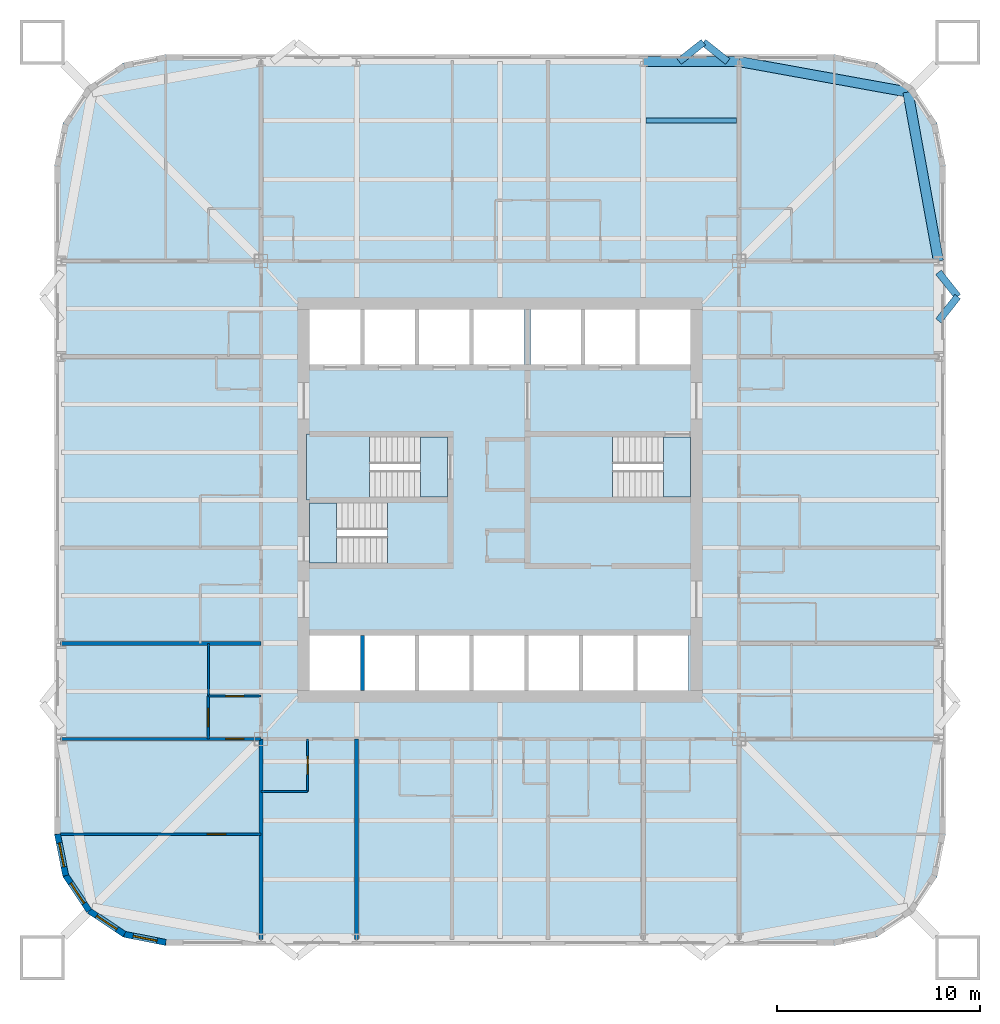
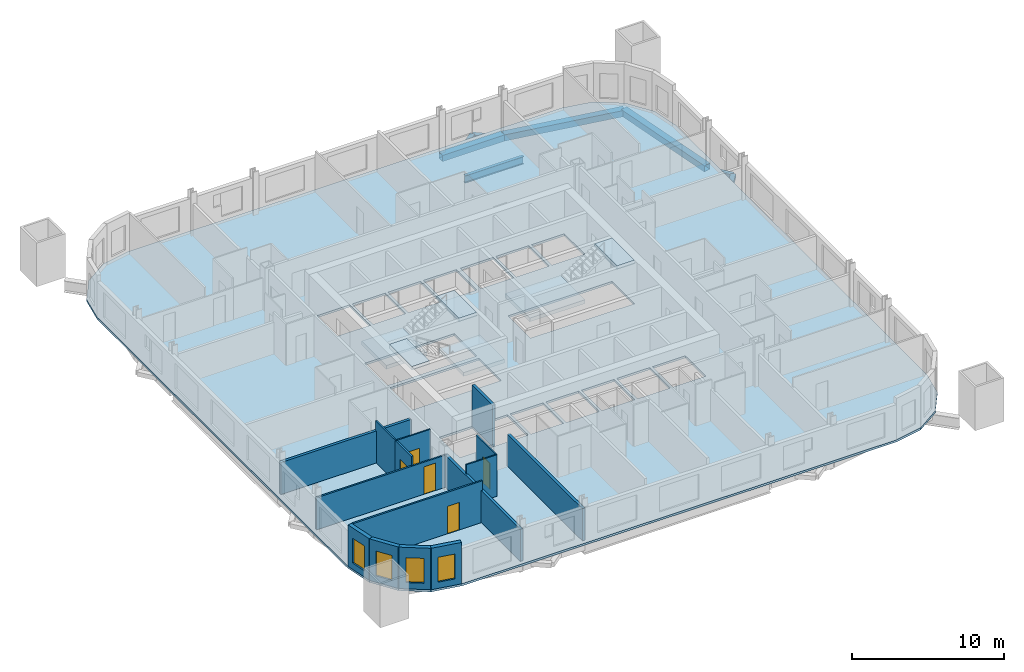
# One storey, part 2 of 10: 15 walls, 8 beams, 7 slabs, 5 doors, 4 windows, 9 openings, 3 elements without a shape of their own.
"""IFC4 building model written with IfcOpenShell, lengths in metres."""

from ifc_helpers import new_model, si_unit, direction, frame, frame_2d, origin, origin_2d, place, context, subcontext, project, spatial, polyline, rectangle, hollow_rectangle, i_section, outline, extrude, material, layer, layer_set, material_profile, profile_set, type_object, element, fill, aggregate, save


model = new_model("IFC4")

# Units and contexts
model_context = context("Model", 3, precision=1e-05, world=origin(), true_north=direction((0.0, 1.0)))
body_context = subcontext(model_context, "Body", "Model", "MODEL_VIEW")
ifc_project = project(units=[si_unit("LENGTHUNIT", "METRE"), si_unit("AREAUNIT", "SQUARE_METRE"), si_unit("VOLUMEUNIT", "CUBIC_METRE"), si_unit("PLANEANGLEUNIT", "RADIAN"), si_unit("MASSUNIT", "GRAM", prefix="KILO")], contexts=[model_context])

# Site, building, storey
site_placement = place(None, origin())
site = spatial("IfcSite", under=ifc_project, at=site_placement, CompositionType="ELEMENT")
building_placement = place(site_placement, origin())
building = spatial("IfcBuilding", under=site, at=building_placement, Name="Turquesa Mirador Hotel Tower", CompositionType="ELEMENT")
storey_placement = place(building_placement, frame((0.0, 0.0, 70.5)))
storey = spatial("IfcBuildingStorey", under=building, at=storey_placement, Name="L18", CompositionType="ELEMENT", Elevation=70.5)

# Beams
ifc_material_1 = material(Name="Steel ASTM A572 Grade 50", Category="steel")
ifc_material_profile_1 = material_profile(ifc_material_1, hollow_rectangle(XDim=0.5, YDim=0.5, WallThickness=0.01611328125, at=origin_2d()), Name="BOX500X500X16")
ifc_profile_set_1 = profile_set([ifc_material_profile_1], Name="Steel ASTM A572 Grade 50")
beam_type_1 = type_object("IfcBeamType", Name="BEAM BOX500X500X16", PredefinedType="BEAM", material=ifc_profile_set_1)
beam_1_placement = place(storey_placement, frame((62.080078125, 66.64990234375, -0.419921875), z_axis=(1.0, 0.0, 0.0), x_axis=(0.0, 1.0, 0.0)))
element("IfcBeam", 1, at=beam_1_placement, inside=storey, type_object=beam_type_1, Name="EB-L18-N-R", PredefinedType="BEAM", context=body_context, shape_type="SweptSolid", body=[
    extrude(hollow_rectangle(XDim=0.5, YDim=0.5, WallThickness=0.01611328125, at=origin_2d()), origin(), (0.0, 0.0, 1.0), 4.719970703125),
])
for number, where, z_axis, x_axis, name in (
    (2, (76.64990234375, 56.800048828125, -0.419921875), (-0.177932387818, 0.984042715214, 0.0), (-0.984042715214, -0.177932387818, 0.0), "KE-L18-1-0"),
    (3, (75.1416015625, 65.1416015625, -0.419921875), (-0.984042715214, 0.177932387818, 0.0), (-0.177932387818, -0.984042715214, 0.0), "KE-L18-1-1"),
):
    element("IfcBeam", number, at=place(storey_placement, frame(where, z_axis=z_axis, x_axis=x_axis)), inside=storey, type_object=beam_type_1, Name=name, PredefinedType="BEAM", context=body_context, shape_type="SweptSolid", body=[
        extrude(hollow_rectangle(XDim=0.5, YDim=0.5, WallThickness=0.01611328125, at=origin_2d()), origin(), (0.0, 0.0, 1.0), 8.476806640625),
    ])
ifc_material_2 = material(Name="Steel ASTM A992 Grade 50", Category="steel")
ifc_material_profile_2 = material_profile(ifc_material_2, i_section(OverallWidth=0.228271484375, OverallDepth=0.607177734375, WebThickness=0.01123046875, FlangeThickness=0.017333984375, at=origin_2d()), Name="W24X76")
ifc_profile_set_2 = profile_set([ifc_material_profile_2], Name="Steel ASTM A992 Grade 50")
beam_type_2 = type_object("IfcBeamType", Name="BEAM W24X76", PredefinedType="BEAM", material=ifc_profile_set_2)
beam_2_placement = place(storey_placement, frame((62.21337890625, 63.737060546875, -0.4736328125), z_axis=(1.0, 0.0, 0.0), x_axis=(0.0, 1.0, 0.0)))
element("IfcBeam", 4, at=beam_2_placement, inside=storey, type_object=beam_type_2, Name="IB-L18-N-3-3", PredefinedType="BEAM", context=body_context, shape_type="SweptSolid", body=[
    extrude(i_section(OverallWidth=0.228271484375, OverallDepth=0.607177734375, WebThickness=0.01123046875, FlangeThickness=0.017333984375, at=origin_2d()), origin(), (0.0, 0.0, 1.0), 4.453369140625),
])
ifc_material_3 = material(Name="Steel ASTM A500 Grade C", Category="steel")
ifc_material_profile_3 = material_profile(ifc_material_3, hollow_rectangle(XDim=0.355712890625, YDim=0.355712890625, WallThickness=0.0146484375, at=origin_2d()), Name="HSS14X14X5/8")
ifc_profile_set_3 = profile_set([ifc_material_profile_3], Name="Steel ASTM A500 Grade C")
beam_type_3 = type_object("IfcBeamType", Name="BRACE STRUT HSS14X14X5/8", PredefinedType="BEAM", material=ifc_profile_set_3)
for number, where, z_axis, x_axis, name in (
    (5, (65.04443359375, 67.60009765625, -0.347900390625), (-0.783971428146, -0.620796907089, 0.0), (0.620796907089, -0.783971428146, 0.0), "Brace strut"),
    (6, (65.04443359375, 67.60009765625, -0.347900390625), (0.783971428146, -0.620796907089, 0.0), (0.620796907089, 0.783971428146, 0.0), "Brace strut"),
    (7, (77.60009765625, 55.04443359375, -0.347900390625), (-0.620796907089, -0.783971428146, 0.0), (0.783971428146, -0.620796907089, 0.0), "Brace strut"),
    (8, (77.60009765625, 55.04443359375, -0.347900390625), (-0.620796907089, 0.783971428146, 0.0), (-0.783971428146, -0.620796907089, 0.0), "Brace strut"),
):
    element("IfcBeam", number, at=place(storey_placement, frame(where, z_axis=z_axis, x_axis=x_axis)), inside=storey, type_object=beam_type_3, Name=name, PredefinedType="BEAM", context=body_context, shape_type="SweptSolid", body=[
        extrude(hollow_rectangle(XDim=0.355712890625, YDim=0.355712890625, WallThickness=0.0146484375, at=origin_2d()), origin(), (0.0, 0.0, 1.0), 1.530517578125),
    ])

# Slab
ifc_material_4 = material(Name="Concrete C28/35", Category="concrete")
ifc_layer_1 = layer(ifc_material_4, 0.169921875)
ifc_layer_set_1 = layer_set([ifc_layer_1], Name="COMPOSITE FLOOR SLAB 170")
slab_type_1 = type_object("IfcSlabType", Name="COMPOSITE FLOOR SLAB 170", PredefinedType="FLOOR", material=ifc_layer_set_1)
slab_1_placement = place(storey_placement, frame((0.0, 0.0, -0.169921875)))
element("IfcSlab", 9, at=slab_1_placement, inside=storey, type_object=slab_type_1, Name="Floor slab L18", PredefinedType="FLOOR", context=body_context, shape_type="SweptSolid", body=[
    extrude(outline(polyline([(71.5, 23.0), (73.604736328125, 23.418701171875), (75.38916015625, 24.61083984375), (76.581298828125, 26.395263671875), (77.0, 28.5), (77.0, 61.5), (76.581298828125, 63.604736328125), (75.38916015625, 65.38916015625), (73.604736328125, 66.581298828125), (71.5, 67.0), (38.5, 67.0), (36.395263671875, 66.581298828125), (34.61083984375, 65.38916015625), (33.418701171875, 63.604736328125), (33.0, 61.5), (33.0, 28.5), (33.418701171875, 26.395263671875), (34.61083984375, 24.61083984375), (36.395263671875, 23.418701171875), (38.5, 23.0), (71.5, 23.0)]), holes=[polyline([(45.60009765625, 51.699951171875), (48.10009765625, 51.699951171875), (48.10009765625, 54.39990234375), (45.60009765625, 54.39990234375), (45.60009765625, 51.699951171875)]), polyline([(48.300048828125, 51.699951171875), (50.800048828125, 51.699951171875), (50.800048828125, 54.39990234375), (48.300048828125, 54.39990234375), (48.300048828125, 51.699951171875)]), polyline([(51.0, 51.699951171875), (53.5, 51.699951171875), (53.5, 54.39990234375), (51.0, 54.39990234375), (51.0, 51.699951171875)]), polyline([(53.699951171875, 51.699951171875), (56.199951171875, 51.699951171875), (56.199951171875, 54.39990234375), (53.699951171875, 54.39990234375), (53.699951171875, 51.699951171875)]), polyline([(56.5, 51.699951171875), (59.0, 51.699951171875), (59.0, 54.39990234375), (56.5, 54.39990234375), (56.5, 51.699951171875)]), polyline([(59.199951171875, 51.699951171875), (61.699951171875, 51.699951171875), (61.699951171875, 54.39990234375), (59.199951171875, 54.39990234375), (59.199951171875, 51.699951171875)]), polyline([(45.60009765625, 35.60009765625), (48.10009765625, 35.60009765625), (48.10009765625, 38.300048828125), (45.60009765625, 38.300048828125), (45.60009765625, 35.60009765625)]), polyline([(48.300048828125, 35.60009765625), (50.800048828125, 35.60009765625), (50.800048828125, 38.300048828125), (48.300048828125, 38.300048828125), (48.300048828125, 35.60009765625)]), polyline([(51.0, 35.60009765625), (53.5, 35.60009765625), (53.5, 38.300048828125), (51.0, 38.300048828125), (51.0, 35.60009765625)]), polyline([(53.699951171875, 35.60009765625), (56.199951171875, 35.60009765625), (56.199951171875, 38.300048828125), (53.699951171875, 38.300048828125), (53.699951171875, 35.60009765625)]), polyline([(56.39990234375, 35.60009765625), (58.89990234375, 35.60009765625), (58.89990234375, 38.300048828125), (56.39990234375, 38.300048828125), (56.39990234375, 35.60009765625)]), polyline([(59.10009765625, 35.60009765625), (61.60009765625, 35.60009765625), (61.60009765625, 38.300048828125), (59.10009765625, 38.300048828125), (59.10009765625, 35.60009765625)]), polyline([(61.800048828125, 35.60009765625), (64.300048828125, 35.60009765625), (64.300048828125, 38.300048828125), (61.800048828125, 38.300048828125), (61.800048828125, 35.60009765625)]), polyline([(45.60009765625, 45.14990234375), (52.39990234375, 45.14990234375), (52.39990234375, 48.10009765625), (45.60009765625, 48.10009765625), (45.60009765625, 45.14990234375)]), polyline([(45.60009765625, 41.89990234375), (52.39990234375, 41.89990234375), (52.39990234375, 44.85009765625), (45.60009765625, 44.85009765625), (45.60009765625, 41.89990234375)]), polyline([(56.5, 45.14990234375), (64.39990234375, 45.14990234375), (64.39990234375, 48.10009765625), (56.5, 48.10009765625), (56.5, 45.14990234375)]), polyline([(61.89990234375, 51.699951171875), (64.39990234375, 51.699951171875), (64.39990234375, 54.39990234375), (61.89990234375, 54.39990234375), (61.89990234375, 51.699951171875)])]), origin(), (0.0, 0.0, 1.0), 0.169921875),
])

# Stair, slabs
ifc_material_5 = material(Name="Concrete C35/45", Category="concrete")
stair_type = type_object("IfcStairType", Name="ESCAPE STAIR CORE", PredefinedType="HALF_TURN_STAIR", material=ifc_material_5)
stair_1_placement = place(storey_placement, origin())
stair_1 = element("IfcStair", 10, at=stair_1_placement, inside=storey, type_object=stair_type, Name="Stair ST1 L18 to L19", PredefinedType="HALF_TURN_STAIR")
ifc_material_6 = material(Name="Concrete C35/45", Category="concrete")
ifc_layer_2 = layer(ifc_material_6, 0.300048828125)
ifc_layer_set_2 = layer_set([ifc_layer_2], Name="STAIR LANDING 300")
slab_type_2 = type_object("IfcSlabType", Name="STAIR LANDING 300", PredefinedType="LANDING", material=ifc_layer_set_2)
slab_2_placement = place(storey_placement, frame((0.0, 0.0, 1.449951171875)))
slab_2 = element("IfcSlab", 11, at=slab_2_placement, type_object=slab_type_2, Name="ST1 landing 1", PredefinedType="LANDING", context=body_context, shape_type="SweptSolid", body=[
    extrude(outline(polyline([(45.449951171875, 45.0), (48.550048828125, 45.0), (48.550048828125, 48.25), (45.449951171875, 48.25), (45.449951171875, 45.0)])), origin(), (0.0, 0.0, 1.0), 0.300048828125),
])
slab_3_placement = place(storey_placement, frame((0.0, 0.0, 3.199951171875)))
slab_3 = element("IfcSlab", 12, at=slab_3_placement, type_object=slab_type_2, Name="ST1 landing 2", PredefinedType="LANDING", context=body_context, shape_type="SweptSolid", body=[
    extrude(outline(polyline([(51.070068359375, 45.14990234375), (52.39990234375, 45.14990234375), (52.39990234375, 48.10009765625), (51.070068359375, 48.10009765625), (51.070068359375, 45.14990234375)])), origin(), (0.0, 0.0, 1.0), 0.300048828125),
])
aggregate(stair_1, [slab_2, slab_3])

stair_2_placement = place(storey_placement, origin())
stair_2 = element("IfcStair", 13, at=stair_2_placement, inside=storey, type_object=stair_type, Name="Stair ST2 L18 to L19", PredefinedType="HALF_TURN_STAIR")
slab_4_placement = place(storey_placement, frame((0.0, 0.0, 1.449951171875)))
slab_4 = element("IfcSlab", 14, at=slab_4_placement, type_object=slab_type_2, Name="ST2 landing 1", PredefinedType="LANDING", context=body_context, shape_type="SweptSolid", body=[
    extrude(outline(polyline([(52.550048828125, 45.0), (49.449951171875, 45.0), (49.449951171875, 41.75), (52.550048828125, 41.75), (52.550048828125, 45.0)])), origin(), (0.0, 0.0, 1.0), 0.300048828125),
])
slab_5_placement = place(storey_placement, frame((0.0, 0.0, 3.199951171875)))
slab_5 = element("IfcSlab", 15, at=slab_5_placement, type_object=slab_type_2, Name="ST2 landing 2", PredefinedType="LANDING", context=body_context, shape_type="SweptSolid", body=[
    extrude(outline(polyline([(46.929931640625, 44.85009765625), (45.60009765625, 44.85009765625), (45.60009765625, 41.89990234375), (46.929931640625, 41.89990234375), (46.929931640625, 44.85009765625)])), origin(), (0.0, 0.0, 1.0), 0.300048828125),
])
aggregate(stair_2, [slab_4, slab_5])

stair_3_placement = place(storey_placement, origin())
stair_3 = element("IfcStair", 16, at=stair_3_placement, inside=storey, type_object=stair_type, Name="Stair ST3 L18 to L19", PredefinedType="HALF_TURN_STAIR")
slab_6_placement = place(storey_placement, frame((0.0, 0.0, 1.449951171875)))
slab_6 = element("IfcSlab", 17, at=slab_6_placement, type_object=slab_type_2, Name="ST3 landing 1", PredefinedType="LANDING", context=body_context, shape_type="SweptSolid", body=[
    extrude(outline(polyline([(56.35009765625, 45.0), (60.550048828125, 45.0), (60.550048828125, 48.25), (56.35009765625, 48.25), (56.35009765625, 45.0)])), origin(), (0.0, 0.0, 1.0), 0.300048828125),
])
slab_7_placement = place(storey_placement, frame((0.0, 0.0, 3.199951171875)))
slab_7 = element("IfcSlab", 18, at=slab_7_placement, type_object=slab_type_2, Name="ST3 landing 2", PredefinedType="LANDING", context=body_context, shape_type="SweptSolid", body=[
    extrude(outline(polyline([(63.070068359375, 45.14990234375), (64.39990234375, 45.14990234375), (64.39990234375, 48.10009765625), (63.070068359375, 48.10009765625), (63.070068359375, 45.14990234375)])), origin(), (0.0, 0.0, 1.0), 0.300048828125),
])
aggregate(stair_3, [slab_6, slab_7])

# Wall
ifc_material_7 = material(Name="Gypsum board on steel studs", Category="steel")
ifc_layer_3 = layer(ifc_material_7, 0.10009765625)
ifc_layer_set_3 = layer_set([ifc_layer_3], Name="BATHROOM WALL 100")
wall_type_1 = type_object("IfcWallType", Name="BATHROOM WALL 100", PredefinedType="PARTITIONING", material=ifc_layer_set_3)
wall_1_placement = place(storey_placement, frame((43.199951171875, 30.60009765625, 0.0), z_axis=(0.0, 0.0, 1.0), x_axis=(1.0, 0.0, 0.0)))
element("IfcWall", 19, at=wall_1_placement, inside=storey, type_object=wall_type_1, Name="Partition L18 006", PredefinedType="PARTITIONING", context=body_context, shape_type="SweptSolid", body=[
    extrude(rectangle(XDim=2.300048828125, YDim=0.10009765625, at=frame_2d((1.14990234375, 0.0))), origin(), (0.0, 0.0, 1.0), 3.330078125),
])

# Wall, opening, door
wall_2_placement = place(storey_placement, frame((40.60009765625, 35.320068359375, 0.0), z_axis=(0.0, 0.0, 1.0), x_axis=(1.0, 0.0, 0.0)))
wall_2 = element("IfcWall", 20, at=wall_2_placement, inside=storey, type_object=wall_type_1, Name="Partition L18 020", PredefinedType="PARTITIONING", context=body_context, shape_type="SweptSolid", body=[
    extrude(rectangle(XDim=2.599853515625, YDim=0.10009765625, at=frame_2d((1.2998046875, 0.0))), origin(), (0.0, 0.0, 1.0), 3.330078125),
])
opening_1_placement = place(wall_2_placement, frame((0.85009765625, 0.0, 0.0)))
opening_1 = element("IfcOpeningElement", 21, at=opening_1_placement, cuts=wall_2, Name="Opening D02", PredefinedType="OPENING", context=body_context, shape_type="SweptSolid", body=[
    extrude(rectangle(XDim=0.89990234375, YDim=2.10009765625, at=frame_2d((0.449951171875, 1.050048828125))), frame((0.0, 0.06005859375, 0.0), z_axis=(0.0, -1.0, 0.0), x_axis=(1.0, 0.0, 0.0)), (0.0, 0.0, 1.0), 0.1201171875),
])
ifc_material_8 = material(Name="Timber veneered door", Category="wood")
door_type_1 = type_object("IfcDoorType", Name="DOOR 900X2100 EN-SUITE", OperationType="SINGLE_SWING_RIGHT", PredefinedType="DOOR", material=ifc_material_8)
door_1_placement = place(opening_1_placement, origin())
door_1 = element("IfcDoor", 22, at=door_1_placement, inside=storey, type_object=door_type_1, Name="Door 1814B", OperationType="SINGLE_SWING_RIGHT", OverallHeight=2.10009765625, OverallWidth=0.89990234375, PredefinedType="DOOR", context=body_context, shape_type="SweptSolid", body=[
    extrude(rectangle(XDim=0.89990234375, YDim=2.10009765625, at=frame_2d((0.449951171875, 1.050048828125))), frame((0.0, 0.02490234375, 0.0), z_axis=(0.0, -1.0, 0.0), x_axis=(1.0, 0.0, 0.0)), (0.0, 0.0, 1.0), 0.050048828125),
])
fill(opening_1, door_1)

# Wall
wall_3_placement = place(storey_placement, frame((40.60009765625, 35.320068359375, 0.0), z_axis=(0.0, 0.0, 1.0), x_axis=(0.0, 1.0, 0.0)))
element("IfcWall", 23, at=wall_3_placement, inside=storey, type_object=wall_type_1, Name="Partition L18 048", PredefinedType="PARTITIONING", context=body_context, shape_type="SweptSolid", body=[
    extrude(rectangle(XDim=2.599853515625, YDim=0.10009765625, at=frame_2d((1.2998046875, 0.0))), origin(), (0.0, 0.0, 1.0), 3.330078125),
])

# Wall, opening, door
wall_4_placement = place(storey_placement, frame((45.5, 30.60009765625, 0.0), z_axis=(0.0, 0.0, 1.0), x_axis=(0.0, 1.0, 0.0)))
wall_4 = element("IfcWall", 24, at=wall_4_placement, inside=storey, type_object=wall_type_1, Name="Partition L18 058", PredefinedType="PARTITIONING", context=body_context, shape_type="SweptSolid", body=[
    extrude(rectangle(XDim=2.599853515625, YDim=0.10009765625, at=frame_2d((1.2998046875, 0.0))), origin(), (0.0, 0.0, 1.0), 3.330078125),
])
opening_2_placement = place(wall_4_placement, frame((0.85009765625, 0.0, 0.0)))
opening_2 = element("IfcOpeningElement", 25, at=opening_2_placement, cuts=wall_4, Name="Opening D02", PredefinedType="OPENING", context=body_context, shape_type="SweptSolid", body=[
    extrude(rectangle(XDim=0.89990234375, YDim=2.10009765625, at=frame_2d((0.449951171875, 1.050048828125))), frame((0.0, 0.06005859375, 0.0), z_axis=(0.0, -1.0, 0.0), x_axis=(1.0, 0.0, 0.0)), (0.0, 0.0, 1.0), 0.1201171875),
])
door_2_placement = place(opening_2_placement, origin())
door_2 = element("IfcDoor", 26, at=door_2_placement, inside=storey, type_object=door_type_1, Name="Door 1803B", OperationType="SINGLE_SWING_RIGHT", OverallHeight=2.10009765625, OverallWidth=0.89990234375, PredefinedType="DOOR", context=body_context, shape_type="SweptSolid", body=[
    extrude(rectangle(XDim=0.89990234375, YDim=2.10009765625, at=frame_2d((0.449951171875, 1.050048828125))), frame((0.0, 0.02490234375, 0.0), z_axis=(0.0, -1.0, 0.0), x_axis=(1.0, 0.0, 0.0)), (0.0, 0.0, 1.0), 0.050048828125),
])
fill(opening_2, door_2)

# Wall, opening, window
ifc_material_9 = material(Name="Limestone cladding on concrete block", Category="masonry")
ifc_layer_4 = layer(ifc_material_9, 0.300048828125)
ifc_layer_set_4 = layer_set([ifc_layer_4], Name="FACADE WALL 300 STONE SCREEN")
wall_type_2 = type_object("IfcWallType", Name="FACADE WALL 300 STONE SCREEN", PredefinedType="SOLIDWALL", material=ifc_layer_set_4)
wall_5_placement = place(storey_placement, frame((33.14990234375, 28.5, 0.0), z_axis=(0.0, 0.0, 1.0), x_axis=(0.195081421501, -0.980787050784, 0.0)))
wall_5 = element("IfcWall", 27, at=wall_5_placement, inside=storey, type_object=wall_type_2, Name="Facade wall L18 15", PredefinedType="SOLIDWALL", context=body_context, shape_type="SweptSolid", body=[
    extrude(rectangle(XDim=2.08740234375, YDim=0.300048828125, at=frame_2d((1.043701171875, 0.0))), origin(), (0.0, 0.0, 1.0), 3.330078125),
])
opening_3_placement = place(wall_5_placement, frame((0.443603515625, 0.0, 0.5)))
opening_3 = element("IfcOpeningElement", 28, at=opening_3_placement, cuts=wall_5, Name="Opening WN4", PredefinedType="OPENING", context=body_context, shape_type="SweptSolid", body=[
    extrude(rectangle(XDim=1.199951171875, YDim=2.0, at=frame_2d((0.60009765625, 1.0))), frame((0.0, 0.159912109375, 0.0), z_axis=(0.0, -1.0, 0.0), x_axis=(1.0, 0.0, 0.0)), (0.0, 0.0, 1.0), 0.320068359375),
])
ifc_material_10 = material(Name="Ceramic-fritted laminated glass", Category="glass")
window_type = type_object("IfcWindowType", Name="FRITTED CORNER WINDOW 1200X2000", PartitioningType="DOUBLE_PANEL_HORIZONTAL", PredefinedType="WINDOW", material=ifc_material_10)
window_1_placement = place(opening_3_placement, origin())
window_1 = element("IfcWindow", 29, at=window_1_placement, inside=storey, type_object=window_type, Name="Window L18", OverallHeight=2.0, OverallWidth=1.199951171875, PartitioningType="SINGLE_PANEL", PredefinedType="WINDOW", context=body_context, shape_type="SweptSolid", body=[
    extrude(rectangle(XDim=1.199951171875, YDim=2.0, at=frame_2d((0.60009765625, 1.0))), frame((0.0, 0.030029296875, 0.0), z_axis=(0.0, -1.0, 0.0), x_axis=(1.0, 0.0, 0.0)), (0.0, 0.0, 1.0), 0.06005859375),
])
fill(opening_3, window_1)

wall_6_placement = place(storey_placement, frame((33.55712890625, 26.45263671875, 0.0), z_axis=(0.0, 0.0, 1.0), x_axis=(0.555644460423, -0.831420010345, 0.0)))
wall_6 = element("IfcWall", 30, at=wall_6_placement, inside=storey, type_object=wall_type_2, Name="Facade wall L18 16", PredefinedType="SOLIDWALL", context=body_context, shape_type="SweptSolid", body=[
    extrude(rectangle(XDim=2.08740234375, YDim=0.300048828125, at=frame_2d((1.043701171875, 0.0))), origin(), (0.0, 0.0, 1.0), 3.330078125),
])
opening_4_placement = place(wall_6_placement, frame((0.443603515625, 0.0, 0.5)))
opening_4 = element("IfcOpeningElement", 31, at=opening_4_placement, cuts=wall_6, Name="Opening WN4", PredefinedType="OPENING", context=body_context, shape_type="SweptSolid", body=[
    extrude(rectangle(XDim=1.199951171875, YDim=2.0, at=frame_2d((0.60009765625, 1.0))), frame((0.0, 0.159912109375, 0.0), z_axis=(0.0, -1.0, 0.0), x_axis=(1.0, 0.0, 0.0)), (0.0, 0.0, 1.0), 0.320068359375),
])
window_2_placement = place(opening_4_placement, origin())
window_2 = element("IfcWindow", 32, at=window_2_placement, inside=storey, type_object=window_type, Name="Window L18", OverallHeight=2.0, OverallWidth=1.199951171875, PartitioningType="SINGLE_PANEL", PredefinedType="WINDOW", context=body_context, shape_type="SweptSolid", body=[
    extrude(rectangle(XDim=1.199951171875, YDim=2.0, at=frame_2d((0.60009765625, 1.0))), frame((0.0, 0.030029296875, 0.0), z_axis=(0.0, -1.0, 0.0), x_axis=(1.0, 0.0, 0.0)), (0.0, 0.0, 1.0), 0.06005859375),
])
fill(opening_4, window_2)

wall_7_placement = place(storey_placement, frame((34.717041015625, 24.717041015625, 0.0), z_axis=(0.0, 0.0, 1.0), x_axis=(0.831420010345, -0.555644460423, 0.0)))
wall_7 = element("IfcWall", 33, at=wall_7_placement, inside=storey, type_object=wall_type_2, Name="Facade wall L18 17", PredefinedType="SOLIDWALL", context=body_context, shape_type="SweptSolid", body=[
    extrude(rectangle(XDim=2.08740234375, YDim=0.300048828125, at=frame_2d((1.043701171875, 0.0))), origin(), (0.0, 0.0, 1.0), 3.330078125),
])
opening_5_placement = place(wall_7_placement, frame((0.443603515625, 0.0, 0.5)))
opening_5 = element("IfcOpeningElement", 34, at=opening_5_placement, cuts=wall_7, Name="Opening WN4", PredefinedType="OPENING", context=body_context, shape_type="SweptSolid", body=[
    extrude(rectangle(XDim=1.199951171875, YDim=2.0, at=frame_2d((0.60009765625, 1.0))), frame((0.0, 0.159912109375, 0.0), z_axis=(0.0, -1.0, 0.0), x_axis=(1.0, 0.0, 0.0)), (0.0, 0.0, 1.0), 0.320068359375),
])
window_3_placement = place(opening_5_placement, origin())
window_3 = element("IfcWindow", 35, at=window_3_placement, inside=storey, type_object=window_type, Name="Window L18", OverallHeight=2.0, OverallWidth=1.199951171875, PartitioningType="SINGLE_PANEL", PredefinedType="WINDOW", context=body_context, shape_type="SweptSolid", body=[
    extrude(rectangle(XDim=1.199951171875, YDim=2.0, at=frame_2d((0.60009765625, 1.0))), frame((0.0, 0.030029296875, 0.0), z_axis=(0.0, -1.0, 0.0), x_axis=(1.0, 0.0, 0.0)), (0.0, 0.0, 1.0), 0.06005859375),
])
fill(opening_5, window_3)

wall_8_placement = place(storey_placement, frame((36.45263671875, 23.55712890625, 0.0), z_axis=(0.0, 0.0, 1.0), x_axis=(0.980787050784, -0.195081421501, 0.0)))
wall_8 = element("IfcWall", 36, at=wall_8_placement, inside=storey, type_object=wall_type_2, Name="Facade wall L18 18", PredefinedType="SOLIDWALL", context=body_context, shape_type="SweptSolid", body=[
    extrude(rectangle(XDim=2.08740234375, YDim=0.300048828125, at=frame_2d((1.043701171875, 0.0))), origin(), (0.0, 0.0, 1.0), 3.330078125),
])
opening_6_placement = place(wall_8_placement, frame((0.443603515625, 0.0, 0.5)))
opening_6 = element("IfcOpeningElement", 37, at=opening_6_placement, cuts=wall_8, Name="Opening WN4", PredefinedType="OPENING", context=body_context, shape_type="SweptSolid", body=[
    extrude(rectangle(XDim=1.199951171875, YDim=2.0, at=frame_2d((0.60009765625, 1.0))), frame((0.0, 0.159912109375, 0.0), z_axis=(0.0, -1.0, 0.0), x_axis=(1.0, 0.0, 0.0)), (0.0, 0.0, 1.0), 0.320068359375),
])
window_4_placement = place(opening_6_placement, origin())
window_4 = element("IfcWindow", 38, at=window_4_placement, inside=storey, type_object=window_type, Name="Window L18", OverallHeight=2.0, OverallWidth=1.199951171875, PartitioningType="SINGLE_PANEL", PredefinedType="WINDOW", context=body_context, shape_type="SweptSolid", body=[
    extrude(rectangle(XDim=1.199951171875, YDim=2.0, at=frame_2d((0.60009765625, 1.0))), frame((0.0, 0.030029296875, 0.0), z_axis=(0.0, -1.0, 0.0), x_axis=(1.0, 0.0, 0.0)), (0.0, 0.0, 1.0), 0.06005859375),
])
fill(opening_6, window_4)

# Walls
ifc_material_11 = material(Name="Fire-rated gypsum shaft wall on steel studs", Category="steel")
ifc_layer_5 = layer(ifc_material_11, 0.199951171875)
ifc_layer_set_5 = layer_set([ifc_layer_5], Name="LIFT SHAFT DIVIDER 200")
wall_type_3 = type_object("IfcWallType", Name="LIFT SHAFT DIVIDER 200", PredefinedType="PARTITIONING", material=ifc_layer_set_5)
wall_9_placement = place(storey_placement, frame((48.199951171875, 35.60009765625, 0.0), z_axis=(0.0, 0.0, 1.0), x_axis=(0.0, 1.0, 0.0)))
element("IfcWall", 39, at=wall_9_placement, inside=storey, type_object=wall_type_3, Name="Lift shaft divider", PredefinedType="PARTITIONING", context=body_context, shape_type="SweptSolid", body=[
    extrude(rectangle(XDim=2.699951171875, YDim=0.199951171875, at=frame_2d((1.35009765625, 0.0))), origin(), (0.0, 0.0, 1.0), 3.330078125),
])
ifc_material_12 = material(Name="Fire-rated gypsum board on steel studs", Category="steel")
ifc_layer_6 = layer(ifc_material_12, 0.199951171875)
ifc_layer_set_6 = layer_set([ifc_layer_6], Name="PARTY WALL 200")
wall_type_4 = type_object("IfcWallType", Name="PARTY WALL 200", PredefinedType="PARTITIONING", material=ifc_layer_set_6)
for number, where, z_axis, x_axis, name in (
    (40, (33.300048828125, 37.919921875, 0.0), (0.0, 0.0, 1.0), (1.0, 0.0, 0.0), "Partition L18 018"),
    (41, (43.199951171875, 23.300048828125, 0.0), (0.0, 0.0, 1.0), (0.0, 1.0, 0.0), "Partition L18 044"),
    (42, (47.919921875, 23.300048828125, 0.0), (0.0, 0.0, 1.0), (0.0, 1.0, 0.0), "Partition L18 057"),
):
    element("IfcWall", number, at=place(storey_placement, frame(where, z_axis=z_axis, x_axis=x_axis)), inside=storey, type_object=wall_type_4, Name=name, PredefinedType="PARTITIONING", context=body_context, shape_type="SweptSolid", body=[
        extrude(rectangle(XDim=9.89990234375, YDim=0.199951171875, at=frame_2d((4.949951171875, 0.0))), origin(), (0.0, 0.0, 1.0), 2.572998046875),
    ])

# Wall, opening, door
ifc_material_13 = material(Name="Acoustic gypsum board on steel studs", Category="steel")
ifc_layer_7 = layer(ifc_material_13, 0.125)
ifc_layer_set_7 = layer_set([ifc_layer_7], Name="SUITE PARTITION 125")
wall_type_5 = type_object("IfcWallType", Name="SUITE PARTITION 125", PredefinedType="PARTITIONING", material=ifc_layer_set_7)
wall_10_placement = place(storey_placement, frame((33.300048828125, 33.199951171875, 0.0), z_axis=(0.0, 0.0, 1.0), x_axis=(1.0, 0.0, 0.0)))
wall_10 = element("IfcWall", 43, at=wall_10_placement, inside=storey, type_object=wall_type_5, Name="Partition L18 002", PredefinedType="PARTITIONING", context=body_context, shape_type="SweptSolid", body=[
    extrude(rectangle(XDim=9.89990234375, YDim=0.125, at=frame_2d((4.949951171875, 0.0))), origin(), (0.0, 0.0, 1.0), 2.572998046875),
])
opening_7_placement = place(wall_10_placement, frame((8.14990234375, 0.0, 0.0)))
opening_7 = element("IfcOpeningElement", 44, at=opening_7_placement, cuts=wall_10, Name="Opening D17", PredefinedType="OPENING", context=body_context, shape_type="SweptSolid", body=[
    extrude(rectangle(XDim=0.89990234375, YDim=2.199951171875, at=frame_2d((0.449951171875, 1.10009765625))), frame((0.0, 0.072509765625, 0.0), z_axis=(0.0, -1.0, 0.0), x_axis=(1.0, 0.0, 0.0)), (0.0, 0.0, 1.0), 0.14501953125),
])
ifc_material_14 = material(Name="Timber veneered door", Category="wood")
door_type_2 = type_object("IfcDoorType", Name="DOOR 900X2200 SUITE INTERNAL", OperationType="SINGLE_SWING_LEFT", PredefinedType="DOOR", material=ifc_material_14)
door_3_placement = place(opening_7_placement, origin())
door_3 = element("IfcDoor", 45, at=door_3_placement, inside=storey, type_object=door_type_2, Name="Door 1814", OperationType="SINGLE_SWING_LEFT", OverallHeight=2.199951171875, OverallWidth=0.89990234375, PredefinedType="DOOR", context=body_context, shape_type="SweptSolid", body=[
    extrude(rectangle(XDim=0.89990234375, YDim=2.199951171875, at=frame_2d((0.449951171875, 1.10009765625))), frame((0.0, 0.02490234375, 0.0), z_axis=(0.0, -1.0, 0.0), x_axis=(1.0, 0.0, 0.0)), (0.0, 0.0, 1.0), 0.050048828125),
])
fill(opening_7, door_3)

wall_11_placement = place(storey_placement, frame((33.305908203125, 28.5, 0.0), z_axis=(0.0, 0.0, 1.0), x_axis=(1.0, 0.0, 0.0)))
wall_11 = element("IfcWall", 46, at=wall_11_placement, inside=storey, type_object=wall_type_5, Name="Partition L18 011", PredefinedType="PARTITIONING", context=body_context, shape_type="SweptSolid", body=[
    extrude(rectangle(XDim=9.89404296875, YDim=0.125, at=frame_2d((4.947021484375, 0.0))), origin(), (0.0, 0.0, 1.0), 3.330078125),
])
opening_8_placement = place(wall_11_placement, frame((7.244140625, 0.0, 0.0)))
opening_8 = element("IfcOpeningElement", 47, at=opening_8_placement, cuts=wall_11, Name="Opening D17", PredefinedType="OPENING", context=body_context, shape_type="SweptSolid", body=[
    extrude(rectangle(XDim=0.89990234375, YDim=2.199951171875, at=frame_2d((0.449951171875, 1.10009765625))), frame((0.0, 0.072509765625, 0.0), z_axis=(0.0, -1.0, 0.0), x_axis=(1.0, 0.0, 0.0)), (0.0, 0.0, 1.0), 0.14501953125),
])
door_4_placement = place(opening_8_placement, origin())
door_4 = element("IfcDoor", 48, at=door_4_placement, inside=storey, type_object=door_type_2, Name="Door 1814M", OperationType="SINGLE_SWING_LEFT", OverallHeight=2.199951171875, OverallWidth=0.89990234375, PredefinedType="DOOR", context=body_context, shape_type="SweptSolid", body=[
    extrude(rectangle(XDim=0.89990234375, YDim=2.199951171875, at=frame_2d((0.449951171875, 1.10009765625))), frame((0.0, 0.02490234375, 0.0), z_axis=(0.0, -1.0, 0.0), x_axis=(1.0, 0.0, 0.0)), (0.0, 0.0, 1.0), 0.050048828125),
])
fill(opening_8, door_4)

wall_12_placement = place(storey_placement, frame((40.60009765625, 33.199951171875, 0.0), z_axis=(0.0, 0.0, 1.0), x_axis=(0.0, 1.0, 0.0)))
wall_12 = element("IfcWall", 49, at=wall_12_placement, inside=storey, type_object=wall_type_5, Name="Partition L18 050", PredefinedType="PARTITIONING", context=body_context, shape_type="SweptSolid", body=[
    extrude(rectangle(XDim=2.1201171875, YDim=0.125, at=frame_2d((1.06005859375, 0.0))), origin(), (0.0, 0.0, 1.0), 3.330078125),
])
opening_9_placement = place(wall_12_placement, frame((0.610107421875, 0.0, 0.0)))
opening_9 = element("IfcOpeningElement", 50, at=opening_9_placement, cuts=wall_12, Name="Opening D17", PredefinedType="OPENING", context=body_context, shape_type="SweptSolid", body=[
    extrude(rectangle(XDim=0.89990234375, YDim=2.199951171875, at=frame_2d((0.449951171875, 1.10009765625))), frame((0.0, 0.072509765625, 0.0), z_axis=(0.0, -1.0, 0.0), x_axis=(1.0, 0.0, 0.0)), (0.0, 0.0, 1.0), 0.14501953125),
])
door_5_placement = place(opening_9_placement, origin())
door_5 = element("IfcDoor", 51, at=door_5_placement, inside=storey, type_object=door_type_2, Name="Door 1814R", OperationType="SINGLE_SWING_LEFT", OverallHeight=2.199951171875, OverallWidth=0.89990234375, PredefinedType="DOOR", context=body_context, shape_type="SweptSolid", body=[
    extrude(rectangle(XDim=0.89990234375, YDim=2.199951171875, at=frame_2d((0.449951171875, 1.10009765625))), frame((0.0, 0.02490234375, 0.0), z_axis=(0.0, -1.0, 0.0), x_axis=(1.0, 0.0, 0.0)), (0.0, 0.0, 1.0), 0.050048828125),
])
fill(opening_9, door_5)

save(model, "model.ifc")
